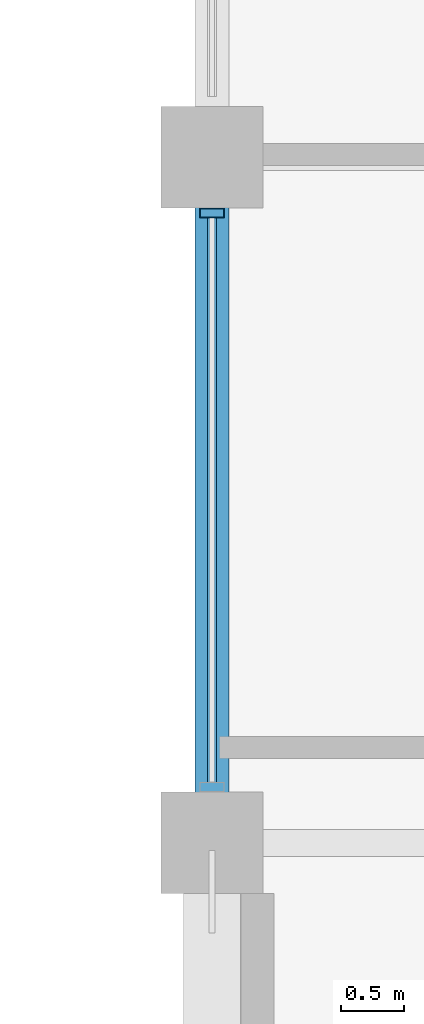
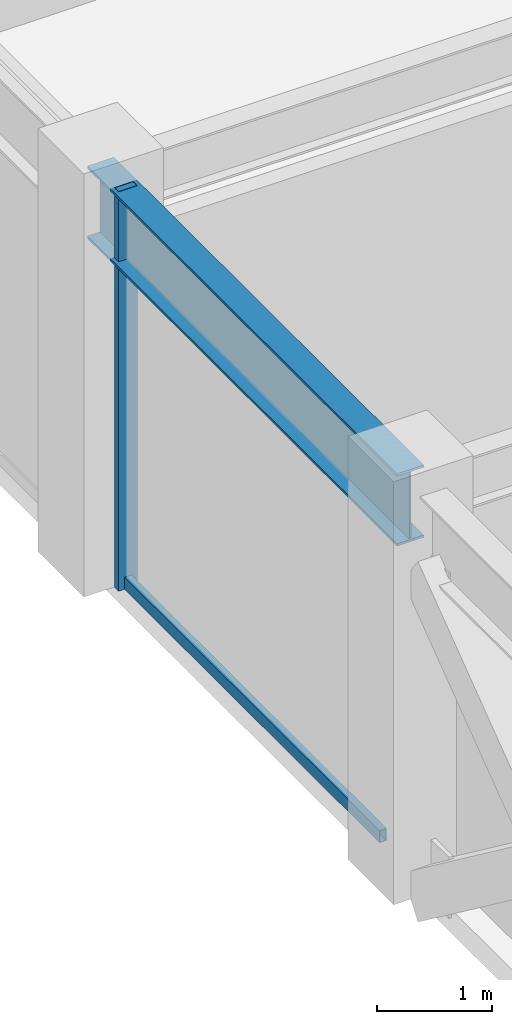
# One storey, part 3 of 28: 2 members, 1 beam, 1 element without a shape of its own.
"""IFC4 building model written with IfcOpenShell, lengths in metres."""

from ifc_helpers import new_model, si_unit, direction, frame, origin, origin_2d, place, context, subcontext, project, spatial, hollow_rectangle, i_section, extrude, material, layer, layer_set, material_profile, profile_set, type_object, element, aggregate, save


model = new_model("IFC4")

# Units and contexts
model_context = context("Model", 3, precision=1e-05, world=origin(), true_north=direction((0.0, 1.0)))
body_context = subcontext(model_context, "Body", "Model", "MODEL_VIEW")
ifc_project = project(units=[si_unit("LENGTHUNIT", "METRE"), si_unit("AREAUNIT", "SQUARE_METRE"), si_unit("VOLUMEUNIT", "CUBIC_METRE"), si_unit("PLANEANGLEUNIT", "RADIAN"), si_unit("MASSUNIT", "GRAM", prefix="KILO")], contexts=[model_context])

# Site, building, storey
site_placement = place(None, origin())
site = spatial("IfcSite", under=ifc_project, at=site_placement, CompositionType="ELEMENT")
building_placement = place(site_placement, origin())
building = spatial("IfcBuilding", under=site, at=building_placement, Name="Surkhivell Harbour Commons", CompositionType="ELEMENT")
storey_placement = place(building_placement, frame((0.0, 0.0, 249.75)))
storey = spatial("IfcBuildingStorey", under=building, at=storey_placement, Name="L65", CompositionType="ELEMENT", Elevation=249.75)

# Beam
ifc_material_1 = material(Name="Steel S355", Category="steel")
ifc_material_profile_1 = material_profile(ifc_material_1, i_section(OverallWidth=0.26806640625, OverallDepth=0.77001953125, WebThickness=0.015625, FlangeThickness=0.025390625, at=origin_2d()), Name="UB762x267x197")
ifc_profile_set_1 = profile_set([ifc_material_profile_1], Name="Steel S355")
beam_type = type_object("IfcBeamType", Name="BM-SPN-762", PredefinedType="SPANDREL", material=ifc_profile_set_1)
beam_placement = place(storey_placement, frame((-27.0, -10.800048828125, 3.864990234375), z_axis=(0.0, 1.0, 0.0), x_axis=(-1.0, 0.0, 0.0)))
element("IfcBeam", 1, at=beam_placement, inside=storey, type_object=beam_type, Name="L65 Tube Spandrel (-27.0,-10.8)", PredefinedType="SPANDREL", context=body_context, shape_type="SweptSolid", body=[
    extrude(i_section(OverallWidth=0.26806640625, OverallDepth=0.77001953125, WebThickness=0.015625, FlangeThickness=0.025390625, at=origin_2d()), origin(), (0.0, 0.0, 1.0), 5.400146484375),
])

# Curtain wall, members
ifc_material_2 = material(Name="Anodised pale-metal aluminium and insulated glazing", Category="aluminium")
ifc_layer = layer(ifc_material_2, 0.18994140625)
ifc_layer_set = layer_set([ifc_layer], Name="Anodised pale-metal aluminium and insulated glazing")
curtain_wall_type = type_object("IfcCurtainWallType", Name="CW-SYS-Z3", PredefinedType="NOTDEFINED", material=ifc_layer_set)
curtain_wall_placement = place(storey_placement, origin())
curtain_wall = element("IfcCurtainWall", 2, at=curtain_wall_placement, inside=storey, type_object=curtain_wall_type, Name="L65 Curtain Wall CW-L65-E12S1", PredefinedType="NOTDEFINED")
ifc_material_3 = material(Name="Anodised pale-metal aluminium alloy 6063-T6", Category="aluminium")
ifc_material_profile_2 = material_profile(ifc_material_3, hollow_rectangle(XDim=0.074951171875, YDim=0.18994140625, WallThickness=0.00390625, at=origin_2d()), Name="ALU-MULL-75x190")
ifc_profile_set_2 = profile_set([ifc_material_profile_2], Name="Anodised pale-metal aluminium alloy 6063-T6")
member_type_1 = type_object("IfcMemberType", Name="CWM-190", PredefinedType="MULLION", material=ifc_profile_set_2)
member_1_placement = place(storey_placement, frame((-27.0, -5.839599609375, 0.0), z_axis=(0.0, 0.0, 1.0), x_axis=(0.0, -1.0, 0.0)))
member_1 = element("IfcMember", 3, at=member_1_placement, type_object=member_type_1, Name="CW-Z3 mullion 6", PredefinedType="MULLION", context=body_context, shape_type="SweptSolid", body=[
    extrude(hollow_rectangle(XDim=0.074951171875, YDim=0.18994140625, WallThickness=0.00390625, at=origin_2d()), origin(), (0.0, 0.0, 1.0), 4.25),
])
ifc_material_4 = material(Name="Champagne anodised aluminium alloy 6063-T6", Category="aluminium")
ifc_material_profile_3 = material_profile(ifc_material_4, hollow_rectangle(XDim=0.070068359375, YDim=0.1298828125, WallThickness=0.00341796875, at=origin_2d()), Name="ALU-TRAN-70x130")
ifc_profile_set_3 = profile_set([ifc_material_profile_3], Name="Champagne anodised aluminium alloy 6063-T6")
member_type_2 = type_object("IfcMemberType", Name="CWT-130", PredefinedType="USERDEFINED", material=ifc_profile_set_3)
member_2_placement = place(storey_placement, frame((-27.0, -5.876953125, 0.06494140625), z_axis=(0.0, -1.0, 0.0), x_axis=(1.0, 0.0, 0.0)))
member_2 = element("IfcMember", 4, at=member_2_placement, type_object=member_type_2, Name="CW-Z3 transom 6.1", ObjectType="TRANSOM", PredefinedType="USERDEFINED", context=body_context, shape_type="SweptSolid", body=[
    extrude(hollow_rectangle(XDim=0.070068359375, YDim=0.1298828125, WallThickness=0.00341796875, at=origin_2d()), origin(), (0.0, 0.0, 1.0), 4.446044921875),
])
aggregate(curtain_wall, [member_1, member_2])

save(model, "model.ifc")
